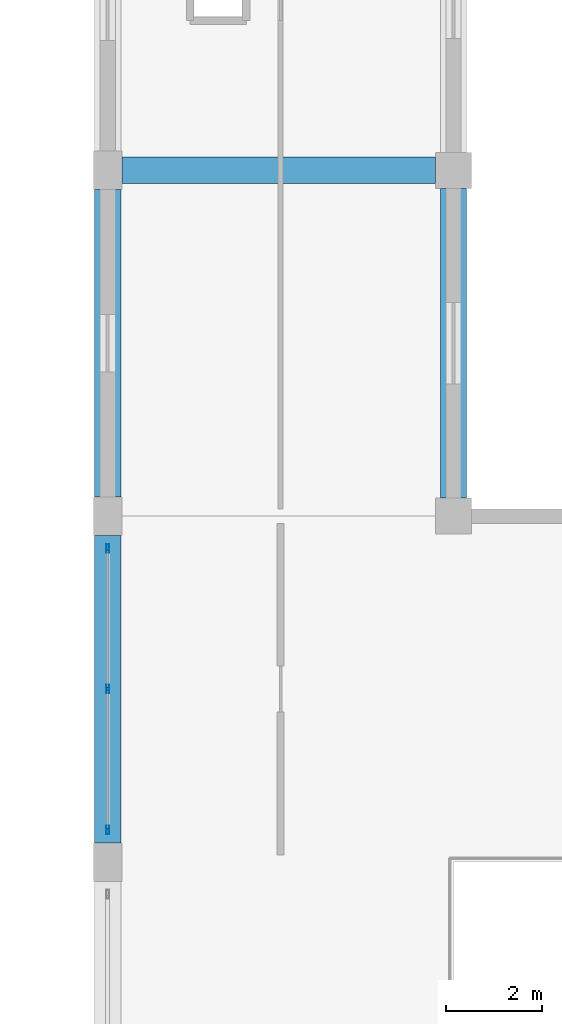
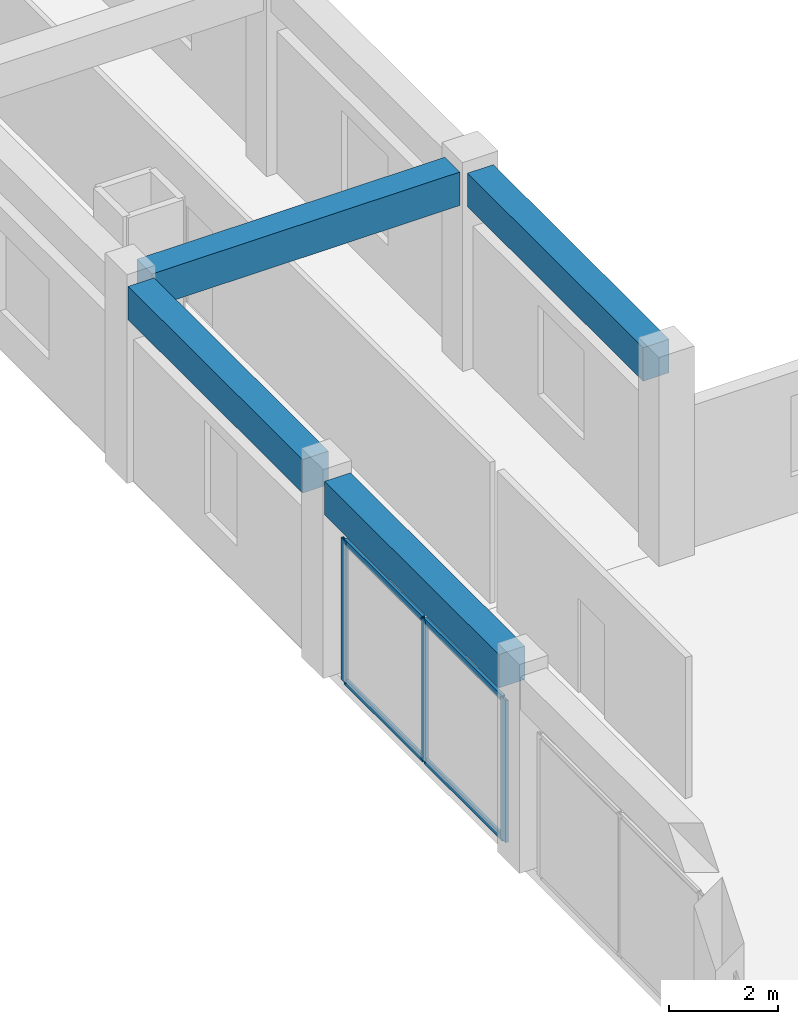
# One storey, part 11 of 55: 7 members, 4 beams, 1 element without a shape of its own.
"""IFC4 building model written with IfcOpenShell, lengths in metres."""

from ifc_helpers import new_model, si_unit, direction, frame, origin, origin_2d, place, context, subcontext, project, spatial, rectangle, hollow_rectangle, extrude, material, material_profile, profile_set, type_object, element, aggregate, save


model = new_model("IFC4")

# Units and contexts
model_context = context("Model", 3, precision=1e-05, world=origin(), true_north=direction((0.0, 1.0)))
body_context = subcontext(model_context, "Body", "Model", "MODEL_VIEW")
ifc_project = project(units=[si_unit("LENGTHUNIT", "METRE"), si_unit("AREAUNIT", "SQUARE_METRE"), si_unit("VOLUMEUNIT", "CUBIC_METRE"), si_unit("PLANEANGLEUNIT", "RADIAN"), si_unit("MASSUNIT", "GRAM", prefix="KILO")], contexts=[model_context])

# Site, building, storey
site_placement = place(None, origin())
site = spatial("IfcSite", under=ifc_project, at=site_placement, CompositionType="ELEMENT")
building_placement = place(site_placement, origin())
building = spatial("IfcBuilding", under=site, at=building_placement, Name="Kazehaya Institute of Natural Sciences", CompositionType="ELEMENT")
storey_placement = place(building_placement, frame((0.0, 0.0, 15.1201171875)))
storey = spatial("IfcBuildingStorey", under=building, at=storey_placement, Name="L03", CompositionType="ELEMENT", Elevation=15.1201171875)

# Beams
ifc_material_1 = material(Name="Concrete Fc36", Category="concrete")
ifc_material_profile_1 = material_profile(ifc_material_1, rectangle(XDim=0.550048828125, YDim=0.75, at=origin_2d()), Name="RC-550x750")
ifc_profile_set_1 = profile_set([ifc_material_profile_1], Name="Concrete Fc36")
beam_type = type_object("IfcBeamType", Name="BM-G-550x750", PredefinedType="BEAM", material=ifc_profile_set_1)
beam_1_placement = place(storey_placement, frame((62.10009765625, 71.60009765625, 4.034912109375), z_axis=(1.0, 0.0, 0.0), x_axis=(0.0, 1.0, 0.0)))
element("IfcBeam", 1, at=beam_1_placement, inside=storey, type_object=beam_type, Name="L03 primary X girder BMX-L03-618-716", PredefinedType="BEAM", context=body_context, shape_type="SweptSolid", body=[
    extrude(rectangle(XDim=0.550048828125, YDim=0.75, at=origin_2d()), origin(), (0.0, 0.0, 1.0), 6.52490234375),
])
for number, where, z_axis, x_axis, name in (
    (2, (61.800048828125, 57.60009765625, 4.034912109375), (0.0, 1.0, 0.0), (-1.0, 0.0, 0.0), "L03 primary Y girder BMY-L03-618-572"),
    (3, (61.800048828125, 64.800048828125, 4.034912109375), (0.0, 1.0, 0.0), (-1.0, 0.0, 0.0), "L03 primary Y girder BMY-L03-618-644"),
):
    element("IfcBeam", number, at=place(storey_placement, frame(where, z_axis=z_axis, x_axis=x_axis)), inside=storey, type_object=beam_type, Name=name, PredefinedType="BEAM", context=body_context, shape_type="SweptSolid", body=[
        extrude(rectangle(XDim=0.550048828125, YDim=0.75, at=origin_2d()), origin(), (0.0, 0.0, 1.0), 6.39990234375),
    ])
beam_2_placement = place(storey_placement, frame((69.0, 64.77490234375, 4.034912109375), z_axis=(0.0, 1.0, 0.0), x_axis=(-1.0, 0.0, 0.0)))
element("IfcBeam", 4, at=beam_2_placement, inside=storey, type_object=beam_type, Name="L03 primary Y girder BMY-L03-690-644", PredefinedType="BEAM", context=body_context, shape_type="SweptSolid", body=[
    extrude(rectangle(XDim=0.550048828125, YDim=0.75, at=origin_2d()), origin(), (0.0, 0.0, 1.0), 6.4501953125),
])

# Curtain wall, members
ifc_material_2 = material(Name="Aluminium alloy A6063S-T5", Category="aluminium")
curtain_wall_type = type_object("IfcCurtainWallType", Name="CW-SYS-04", PredefinedType="NOTDEFINED", material=ifc_material_2)
curtain_wall_placement = place(storey_placement, origin())
curtain_wall = element("IfcCurtainWall", 5, at=curtain_wall_placement, inside=storey, type_object=curtain_wall_type, Name="L03 unitised curtain wall CW-L03-037", PredefinedType="NOTDEFINED")
ifc_material_profile_2 = material_profile(ifc_material_2, hollow_rectangle(XDim=0.06005859375, YDim=0.179931640625, WallThickness=0.00390625, at=origin_2d()), Name="ALU-60x180x4")
ifc_profile_set_2 = profile_set([ifc_material_profile_2], Name="Aluminium alloy A6063S-T5")
member_type_1 = type_object("IfcMemberType", Name="CWM-180", PredefinedType="MULLION", material=ifc_profile_set_2)
member_1_placement = place(storey_placement, frame((61.800048828125, 57.8701171875, 0.0), z_axis=(0.0, 0.0, 1.0), x_axis=(-1.0, 0.0, 0.0)))
member_1 = element("IfcMember", 6, at=member_1_placement, type_object=member_type_1, Name="CW04 mullion 1", PredefinedType="MULLION", context=body_context, shape_type="SweptSolid", body=[
    extrude(hollow_rectangle(XDim=0.06005859375, YDim=0.179931640625, WallThickness=0.00390625, at=origin_2d()), origin(), (0.0, 0.0, 1.0), 3.179931640625),
])
member_2_placement = place(storey_placement, frame((61.800048828125, 60.800048828125, 0.0), z_axis=(0.0, 0.0, 1.0), x_axis=(-1.0, 0.0, 0.0)))
member_2 = element("IfcMember", 7, at=member_2_placement, type_object=member_type_1, Name="CW04 mullion 2", PredefinedType="MULLION", context=body_context, shape_type="SweptSolid", body=[
    extrude(hollow_rectangle(XDim=0.06005859375, YDim=0.179931640625, WallThickness=0.00390625, at=origin_2d()), origin(), (0.0, 0.0, 1.0), 3.179931640625),
])
member_3_placement = place(storey_placement, frame((61.800048828125, 63.72998046875, 0.0), z_axis=(0.0, 0.0, 1.0), x_axis=(-1.0, 0.0, 0.0)))
member_3 = element("IfcMember", 8, at=member_3_placement, type_object=member_type_1, Name="CW04 mullion 3", PredefinedType="MULLION", context=body_context, shape_type="SweptSolid", body=[
    extrude(hollow_rectangle(XDim=0.06005859375, YDim=0.179931640625, WallThickness=0.00390625, at=origin_2d()), origin(), (0.0, 0.0, 1.0), 3.179931640625),
])
ifc_material_profile_3 = material_profile(ifc_material_2, hollow_rectangle(XDim=0.06005859375, YDim=0.139892578125, WallThickness=0.00341796875, at=origin_2d()), Name="ALU-60x140x3.5")
ifc_profile_set_3 = profile_set([ifc_material_profile_3], Name="Aluminium alloy A6063S-T5")
member_type_2 = type_object("IfcMemberType", Name="CWT-140", PredefinedType="USERDEFINED", material=ifc_profile_set_3)
member_4_placement = place(storey_placement, frame((61.800048828125, 57.89990234375, 0.02978515625), z_axis=(0.0, 1.0, 0.0), x_axis=(-1.0, 0.0, 0.0)))
member_4 = element("IfcMember", 9, at=member_4_placement, type_object=member_type_2, Name="CW04 transom 1.1", ObjectType="TRANSOM", PredefinedType="USERDEFINED", context=body_context, shape_type="SweptSolid", body=[
    extrude(hollow_rectangle(XDim=0.06005859375, YDim=0.139892578125, WallThickness=0.00341796875, at=origin_2d()), origin(), (0.0, 0.0, 1.0), 2.8701171875),
])
member_5_placement = place(storey_placement, frame((61.800048828125, 57.89990234375, 3.14990234375), z_axis=(0.0, 1.0, 0.0), x_axis=(-1.0, 0.0, 0.0)))
member_5 = element("IfcMember", 10, at=member_5_placement, type_object=member_type_2, Name="CW04 transom 1.2", ObjectType="TRANSOM", PredefinedType="USERDEFINED", context=body_context, shape_type="SweptSolid", body=[
    extrude(hollow_rectangle(XDim=0.06005859375, YDim=0.139892578125, WallThickness=0.00341796875, at=origin_2d()), origin(), (0.0, 0.0, 1.0), 2.8701171875),
])
member_6_placement = place(storey_placement, frame((61.800048828125, 60.830078125, 0.02978515625), z_axis=(0.0, 1.0, 0.0), x_axis=(-1.0, 0.0, 0.0)))
member_6 = element("IfcMember", 11, at=member_6_placement, type_object=member_type_2, Name="CW04 transom 2.1", ObjectType="TRANSOM", PredefinedType="USERDEFINED", context=body_context, shape_type="SweptSolid", body=[
    extrude(hollow_rectangle(XDim=0.06005859375, YDim=0.139892578125, WallThickness=0.00341796875, at=origin_2d()), origin(), (0.0, 0.0, 1.0), 2.869873046875),
])
member_7_placement = place(storey_placement, frame((61.800048828125, 60.830078125, 3.14990234375), z_axis=(0.0, 1.0, 0.0), x_axis=(-1.0, 0.0, 0.0)))
member_7 = element("IfcMember", 12, at=member_7_placement, type_object=member_type_2, Name="CW04 transom 2.2", ObjectType="TRANSOM", PredefinedType="USERDEFINED", context=body_context, shape_type="SweptSolid", body=[
    extrude(hollow_rectangle(XDim=0.06005859375, YDim=0.139892578125, WallThickness=0.00341796875, at=origin_2d()), origin(), (0.0, 0.0, 1.0), 2.869873046875),
])
aggregate(curtain_wall, [member_1, member_2, member_3, member_4, member_5, member_6, member_7])

save(model, "model.ifc")
